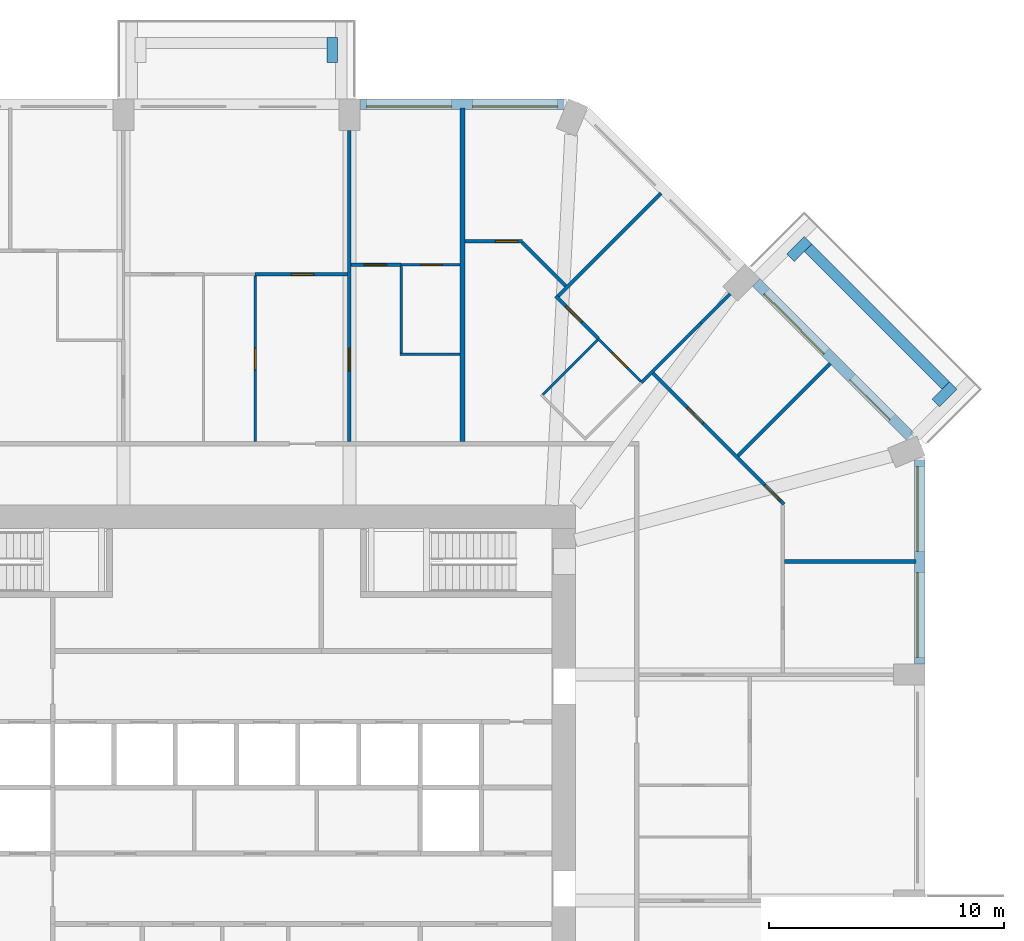
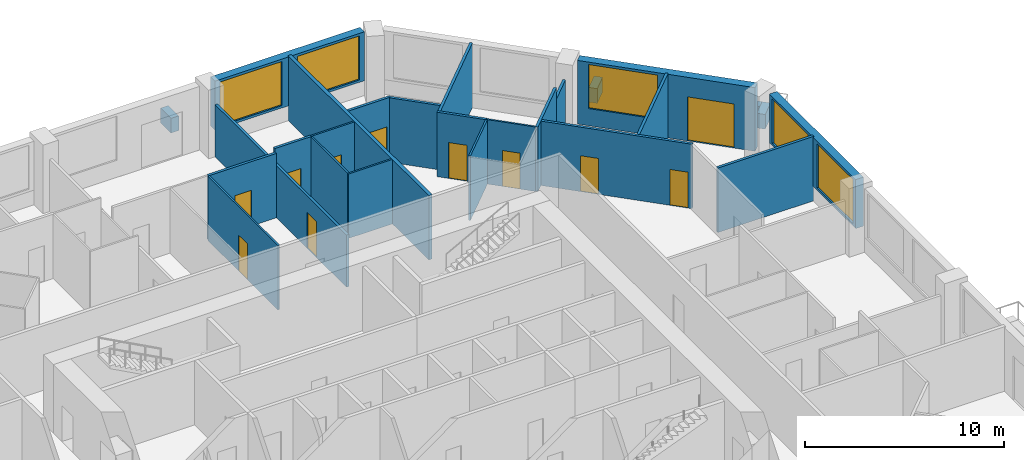
# One storey, part 10 of 13: 26 walls, 11 doors, 5 windows, 16 openings.
"""IFC4 building model written with IfcOpenShell, lengths in metres."""

from ifc_helpers import new_model, si_unit, direction, frame, frame_2d, origin, place, context, subcontext, project, spatial, rectangle, extrude, material, layer, layer_set, type_object, element, fill, save


model = new_model("IFC4")

# Units and contexts
model_context = context("Model", 3, precision=1e-05, world=origin(), true_north=direction((0.0, 1.0)))
body_context = subcontext(model_context, "Body", "Model", "MODEL_VIEW")
ifc_project = project(units=[si_unit("LENGTHUNIT", "METRE"), si_unit("AREAUNIT", "SQUARE_METRE"), si_unit("VOLUMEUNIT", "CUBIC_METRE"), si_unit("PLANEANGLEUNIT", "RADIAN"), si_unit("MASSUNIT", "GRAM", prefix="KILO")], contexts=[model_context])

# Site, building, storey
site_placement = place(None, origin())
site = spatial("IfcSite", under=ifc_project, at=site_placement, CompositionType="ELEMENT")
building_placement = place(site_placement, origin())
building = spatial("IfcBuilding", under=site, at=building_placement, Name="Msitu Wima Residences", CompositionType="ELEMENT")
storey_placement = place(building_placement, frame((0.0, 0.0, 54.89990234375)))
storey = spatial("IfcBuildingStorey", under=building, at=storey_placement, Name="L12", CompositionType="ELEMENT", Elevation=54.89990234375)

# Walls
ifc_material_1 = material(Name="Facing brick")
ifc_layer_1 = layer(ifc_material_1, 0.06494140625, Name="Facing brick")
ifc_material_2 = material(Name="Concrete C40/50", Category="concrete")
ifc_layer_2 = layer(ifc_material_2, 0.156005859375, Name="Concrete C40/50")
ifc_material_3 = material(Name="Waterproofing membrane")
ifc_layer_3 = layer(ifc_material_3, 0.00390625, Name="Waterproofing membrane")
ifc_material_4 = material(Name="Planting soil and planting")
ifc_layer_4 = layer(ifc_material_4, 0.22509765625, Name="Planting soil and planting")
ifc_layer_set_1 = layer_set([ifc_layer_1, ifc_layer_2, ifc_layer_3, ifc_layer_4], Name="Concrete C40/50")
wall_type_1 = type_object("IfcWallType", Name="Balcony planter PLANTER PL450", PredefinedType="USERDEFINED", material=ifc_layer_set_1)
wall_1_placement = place(storey_placement, frame((30.125732421875, 17.0693359375, 0.0), z_axis=(0.0, 0.0, 1.0), x_axis=(-0.707106781187, 0.707106781187, 0.0)))
element("IfcWall", 1, at=wall_1_placement, inside=storey, type_object=wall_type_1, Name="Balcony planter NE0 L12", ObjectType="PLANTER", PredefinedType="USERDEFINED", context=body_context, shape_type="SweptSolid", body=[
    extrude(rectangle(XDim=8.2822265625, YDim=0.449951171875, at=frame_2d((4.14111328125, 0.0))), origin(), (0.0, 0.0, 1.0), 0.900146484375),
])
for number, where, z_axis, x_axis, name in (
    (2, (29.70166015625, 16.326904296875, 0.0), (0.0, 0.0, 1.0), (0.707106781187, 0.707106781187, 0.0), "Balcony planter NE0 L12"),
    (3, (23.52685546875, 22.50146484375, 0.0), (0.0, 0.0, 1.0), (0.706990528533, 0.707223014731, 0.0), "Balcony planter NE0 L12"),
    (4, (4.074951171875, 30.800048828125, 0.0), (0.0, 0.0, 1.0), (0.0, 1.0, 0.0), "Balcony planter N1 L12"),
):
    element("IfcWall", number, at=place(storey_placement, frame(where, z_axis=z_axis, x_axis=x_axis)), inside=storey, type_object=wall_type_1, Name=name, ObjectType="PLANTER", PredefinedType="USERDEFINED", context=body_context, shape_type="SweptSolid", body=[
        extrude(rectangle(XDim=1.050048828125, YDim=0.449951171875, at=frame_2d((0.52490234375, 0.0))), origin(), (0.0, 0.0, 1.0), 0.900146484375),
    ])

# Wall, openings, windows
ifc_material_5 = material(Name="Brick (red buff mix)", Category="masonry")
ifc_layer_5 = layer(ifc_material_5, 0.449951171875)
ifc_layer_set_2 = layer_set([ifc_layer_5], Name="Brick (red buff mix)")
wall_type_2 = type_object("IfcWallType", Name="Brick infill wall BW450", PredefinedType="SOLIDWALL", material=ifc_layer_set_2)
wall_2_placement = place(storey_placement, frame((29.02490234375, 5.25, 0.900146484375), z_axis=(0.0, 0.0, 1.0), x_axis=(0.0, 1.0, 0.0)))
wall_2 = element("IfcWall", 5, at=wall_2_placement, inside=storey, type_object=wall_type_2, Name="Brick infill wall L12 E2", PredefinedType="SOLIDWALL", context=body_context, shape_type="SweptSolid", body=[
    extrude(rectangle(XDim=8.662841796875, YDim=0.449951171875, at=frame_2d((4.33154296875, 0.0))), origin(), (0.0, 0.0, 1.0), 3.0),
])
opening_1_placement = place(wall_2_placement, frame((0.281494140625, 0.0, 0.14990234375)))
opening_1 = element("IfcOpeningElement", 6, at=opening_1_placement, cuts=wall_2, Name="Opening W11-12.004", PredefinedType="OPENING", context=body_context, shape_type="SweptSolid", body=[
    extrude(rectangle(XDim=3.60009765625, YDim=2.699951171875, at=frame_2d((1.800048828125, 1.35009765625))), frame((0.0, 0.23486328125, 0.0), z_axis=(0.0, -1.0, 0.0), x_axis=(1.0, 0.0, 0.0)), (0.0, 0.0, 1.0), 0.469970703125),
])
opening_2_placement = place(wall_2_placement, frame((4.781494140625, 0.0, 0.14990234375)))
opening_2 = element("IfcOpeningElement", 7, at=opening_2_placement, cuts=wall_2, Name="Opening W11-12.005", PredefinedType="OPENING", context=body_context, shape_type="SweptSolid", body=[
    extrude(rectangle(XDim=3.60009765625, YDim=2.699951171875, at=frame_2d((1.800048828125, 1.35009765625))), frame((0.0, 0.23486328125, 0.0), z_axis=(0.0, -1.0, 0.0), x_axis=(1.0, 0.0, 0.0)), (0.0, 0.0, 1.0), 0.469970703125),
])
ifc_material_6 = material(Name="Anodised aluminium, bronze finish, clear low-emissivity double glazing", Category="aluminium")
window_type = type_object("IfcWindowType", Name="Window W3600x2700", PartitioningType="DOUBLE_PANEL_VERTICAL", PredefinedType="WINDOW", material=ifc_material_6)
window_1_placement = place(opening_1_placement, origin())
window_1 = element("IfcWindow", 8, at=window_1_placement, inside=storey, type_object=window_type, Name="Window L12 E2.1", OverallHeight=2.699951171875, OverallWidth=3.60009765625, PartitioningType="SINGLE_PANEL", PredefinedType="WINDOW", context=body_context, shape_type="SweptSolid", body=[
    extrude(rectangle(XDim=3.60009765625, YDim=2.699951171875, at=frame_2d((1.800048828125, 1.35009765625))), frame((0.0, 0.135009765625, 0.0), z_axis=(0.0, -1.0, 0.0), x_axis=(1.0, 0.0, 0.0)), (0.0, 0.0, 1.0), 0.06005859375),
])
fill(opening_1, window_1)
window_2_placement = place(opening_2_placement, origin())
window_2 = element("IfcWindow", 9, at=window_2_placement, inside=storey, type_object=window_type, Name="Window L12 E2.2", OverallHeight=2.699951171875, OverallWidth=3.60009765625, PartitioningType="SINGLE_PANEL", PredefinedType="WINDOW", context=body_context, shape_type="SweptSolid", body=[
    extrude(rectangle(XDim=3.60009765625, YDim=2.699951171875, at=frame_2d((1.800048828125, 1.35009765625))), frame((0.0, 0.135009765625, 0.0), z_axis=(0.0, -1.0, 0.0), x_axis=(1.0, 0.0, 0.0)), (0.0, 0.0, 1.0), 0.06005859375),
])
fill(opening_2, window_2)

# Wall, openings, door, window
wall_3_placement = place(storey_placement, frame((28.61474609375, 14.903564453125, 0.0), z_axis=(0.0, 0.0, 1.0), x_axis=(-0.707106781187, 0.707106781187, 0.0)))
wall_3 = element("IfcWall", 10, at=wall_3_placement, inside=storey, type_object=wall_type_2, Name="Brick infill wall L12 NE0", PredefinedType="SOLIDWALL", context=body_context, shape_type="SweptSolid", body=[
    extrude(rectangle(XDim=9.2451171875, YDim=0.449951171875, at=frame_2d((4.62255859375, 0.0))), origin(), (0.0, 0.0, 1.0), 3.900146484375),
])
opening_3_placement = place(wall_3_placement, frame((1.111328125, 0.0, 0.0)))
opening_3 = element("IfcOpeningElement", 11, at=opening_3_placement, cuts=wall_3, Name="Opening D11-12.003", PredefinedType="OPENING", context=body_context, shape_type="SweptSolid", body=[
    extrude(rectangle(XDim=2.39990234375, YDim=2.699951171875, at=frame_2d((1.199951171875, 1.35009765625))), frame((0.0, 0.23486328125, 0.0), z_axis=(0.0, -1.0, 0.0), x_axis=(1.0, 0.0, 0.0)), (0.0, 0.0, 1.0), 0.469970703125),
])
opening_4_placement = place(wall_3_placement, frame((5.072509765625, 0.0, 1.050048828125)))
opening_4 = element("IfcOpeningElement", 12, at=opening_4_placement, cuts=wall_3, Name="Opening W11-12.011", PredefinedType="OPENING", context=body_context, shape_type="SweptSolid", body=[
    extrude(rectangle(XDim=3.60009765625, YDim=2.699951171875, at=frame_2d((1.800048828125, 1.35009765625))), frame((0.0, 0.23486328125, 0.0), z_axis=(0.0, -1.0, 0.0), x_axis=(1.0, 0.0, 0.0)), (0.0, 0.0, 1.0), 0.469970703125),
])
door_type_1 = type_object("IfcDoorType", Name="Balcony door D2400x2700", OperationType="SLIDING_TO_LEFT", PredefinedType="DOOR", material=ifc_material_6)
door_1_placement = place(opening_3_placement, origin())
door_1 = element("IfcDoor", 13, at=door_1_placement, inside=storey, type_object=door_type_1, Name="Balcony door L12 NE0", OperationType="SINGLE_SWING_LEFT", OverallHeight=2.699951171875, OverallWidth=2.39990234375, PredefinedType="DOOR", context=body_context, shape_type="SweptSolid", body=[
    extrude(rectangle(XDim=2.39990234375, YDim=2.699951171875, at=frame_2d((1.199951171875, 1.35009765625))), frame((0.0, 0.1298828125, 0.0), z_axis=(0.0, -1.0, 0.0), x_axis=(1.0, 0.0, 0.0)), (0.0, 0.0, 1.0), 0.050048828125),
])
fill(opening_3, door_1)
window_3_placement = place(opening_4_placement, origin())
window_3 = element("IfcWindow", 14, at=window_3_placement, inside=storey, type_object=window_type, Name="Window L12 NE0.2", OverallHeight=2.699951171875, OverallWidth=3.60009765625, PartitioningType="SINGLE_PANEL", PredefinedType="WINDOW", context=body_context, shape_type="SweptSolid", body=[
    extrude(rectangle(XDim=3.60009765625, YDim=2.699951171875, at=frame_2d((1.800048828125, 1.35009765625))), frame((0.0, 0.135009765625, 0.0), z_axis=(0.0, -1.0, 0.0), x_axis=(1.0, 0.0, 0.0)), (0.0, 0.0, 1.0), 0.06005859375),
])
fill(opening_4, window_3)

# Wall, openings, windows
wall_4_placement = place(storey_placement, frame((13.912841796875, 29.02490234375, 0.900146484375), z_axis=(0.0, 0.0, 1.0), x_axis=(-1.0, 0.0, 0.0)))
wall_4 = element("IfcWall", 15, at=wall_4_placement, inside=storey, type_object=wall_type_2, Name="Brick infill wall L12 N0", PredefinedType="SOLIDWALL", context=body_context, shape_type="SweptSolid", body=[
    extrude(rectangle(XDim=8.662841796875, YDim=0.449951171875, at=frame_2d((4.33154296875, 0.0))), origin(), (0.0, 0.0, 1.0), 3.0),
])
opening_5_placement = place(wall_4_placement, frame((0.281494140625, 0.0, 0.14990234375)))
opening_5 = element("IfcOpeningElement", 16, at=opening_5_placement, cuts=wall_4, Name="Opening W11-12.006", PredefinedType="OPENING", context=body_context, shape_type="SweptSolid", body=[
    extrude(rectangle(XDim=3.60009765625, YDim=2.699951171875, at=frame_2d((1.800048828125, 1.35009765625))), frame((0.0, 0.23486328125, 0.0), z_axis=(0.0, -1.0, 0.0), x_axis=(1.0, 0.0, 0.0)), (0.0, 0.0, 1.0), 0.469970703125),
])
opening_6_placement = place(wall_4_placement, frame((4.781494140625, 0.0, 0.14990234375)))
opening_6 = element("IfcOpeningElement", 17, at=opening_6_placement, cuts=wall_4, Name="Opening W11-12.007", PredefinedType="OPENING", context=body_context, shape_type="SweptSolid", body=[
    extrude(rectangle(XDim=3.60009765625, YDim=2.699951171875, at=frame_2d((1.800048828125, 1.35009765625))), frame((0.0, 0.23486328125, 0.0), z_axis=(0.0, -1.0, 0.0), x_axis=(1.0, 0.0, 0.0)), (0.0, 0.0, 1.0), 0.469970703125),
])
window_4_placement = place(opening_5_placement, origin())
window_4 = element("IfcWindow", 18, at=window_4_placement, inside=storey, type_object=window_type, Name="Window L12 N0.1", OverallHeight=2.699951171875, OverallWidth=3.60009765625, PartitioningType="SINGLE_PANEL", PredefinedType="WINDOW", context=body_context, shape_type="SweptSolid", body=[
    extrude(rectangle(XDim=3.60009765625, YDim=2.699951171875, at=frame_2d((1.800048828125, 1.35009765625))), frame((0.0, 0.135009765625, 0.0), z_axis=(0.0, -1.0, 0.0), x_axis=(1.0, 0.0, 0.0)), (0.0, 0.0, 1.0), 0.06005859375),
])
fill(opening_5, window_4)
window_5_placement = place(opening_6_placement, origin())
window_5 = element("IfcWindow", 19, at=window_5_placement, inside=storey, type_object=window_type, Name="Window L12 N0.2", OverallHeight=2.699951171875, OverallWidth=3.60009765625, PartitioningType="SINGLE_PANEL", PredefinedType="WINDOW", context=body_context, shape_type="SweptSolid", body=[
    extrude(rectangle(XDim=3.60009765625, YDim=2.699951171875, at=frame_2d((1.800048828125, 1.35009765625))), frame((0.0, 0.135009765625, 0.0), z_axis=(0.0, -1.0, 0.0), x_axis=(1.0, 0.0, 0.0)), (0.0, 0.0, 1.0), 0.06005859375),
])
fill(opening_6, window_5)

# Wall, opening, door
ifc_material_7 = material(Name="Plaster")
ifc_layer_6 = layer(ifc_material_7, 0.011962890625, Name="Plaster")
ifc_material_8 = material(Name="Concrete blockwork", Category="masonry")
ifc_layer_7 = layer(ifc_material_8, 0.1259765625, Name="Concrete blockwork")
ifc_layer_8 = layer(ifc_material_7, 0.011962890625, Name="Plaster")
ifc_layer_set_3 = layer_set([ifc_layer_6, ifc_layer_7, ifc_layer_8], Name="Concrete blockwork")
wall_type_3 = type_object("IfcWallType", Name="Partition PW150", PredefinedType="PARTITIONING", material=ifc_layer_set_3)
wall_5_placement = place(storey_placement, frame((0.780029296875, 21.800048828125, 0.0), z_axis=(0.0, 0.0, 1.0), x_axis=(1.0, 0.0, 0.0)))
wall_5 = element("IfcWall", 20, at=wall_5_placement, inside=storey, type_object=wall_type_3, Name="Partition", PredefinedType="PARTITIONING", context=body_context, shape_type="SweptSolid", body=[
    extrude(rectangle(XDim=3.945068359375, YDim=0.14990234375, at=frame_2d((1.97265625, 0.0))), origin(), (0.0, 0.0, 1.0), 3.9501953125),
])
opening_7_placement = place(wall_5_placement, frame((1.550048828125, 0.0, 0.0)))
opening_7 = element("IfcOpeningElement", 21, at=opening_7_placement, cuts=wall_5, Name="Opening D11-12.043", PredefinedType="OPENING", context=body_context, shape_type="SweptSolid", body=[
    extrude(rectangle(XDim=0.949951171875, YDim=2.199951171875, at=frame_2d((0.47509765625, 1.10009765625))), frame((0.0, 0.0849609375, 0.0), z_axis=(0.0, -1.0, 0.0), x_axis=(1.0, 0.0, 0.0)), (0.0, 0.0, 1.0), 0.169921875),
])
ifc_material_9 = material(Name="Timber flush door", Category="wood")
door_type_2 = type_object("IfcDoorType", Name="Room door D12 950x2200", OperationType="SINGLE_SWING_LEFT", PredefinedType="DOOR", material=ifc_material_9)
door_2_placement = place(opening_7_placement, origin())
door_2 = element("IfcDoor", 22, at=door_2_placement, inside=storey, type_object=door_type_2, Name="Room door", OperationType="SINGLE_SWING_RIGHT", OverallHeight=2.199951171875, OverallWidth=0.949951171875, PredefinedType="DOOR", context=body_context, shape_type="SweptSolid", body=[
    extrude(rectangle(XDim=0.949951171875, YDim=2.199951171875, at=frame_2d((0.47509765625, 1.10009765625))), frame((0.0, 0.02490234375, 0.0), z_axis=(0.0, -1.0, 0.0), x_axis=(1.0, 0.0, 0.0)), (0.0, 0.0, 1.0), 0.050048828125),
])
fill(opening_7, door_2)

wall_6_placement = place(storey_placement, frame((4.800048828125, 14.699951171875, 0.0), z_axis=(0.0, 0.0, 1.0), x_axis=(0.0, 1.0, 0.0)))
wall_6 = element("IfcWall", 23, at=wall_6_placement, inside=storey, type_object=wall_type_3, Name="Partition", PredefinedType="PARTITIONING", context=body_context, shape_type="SweptSolid", body=[
    extrude(rectangle(XDim=13.199951171875, YDim=0.14990234375, at=frame_2d((6.60009765625, 0.0))), origin(), (0.0, 0.0, 1.0), 3.2001953125),
])
opening_8_placement = place(wall_6_placement, frame((3.0, 0.0, 0.0)))
opening_8 = element("IfcOpeningElement", 24, at=opening_8_placement, cuts=wall_6, Name="Opening D11-12.042", PredefinedType="OPENING", context=body_context, shape_type="SweptSolid", body=[
    extrude(rectangle(XDim=0.949951171875, YDim=2.199951171875, at=frame_2d((0.47509765625, 1.10009765625))), frame((0.0, 0.0849609375, 0.0), z_axis=(0.0, -1.0, 0.0), x_axis=(1.0, 0.0, 0.0)), (0.0, 0.0, 1.0), 0.169921875),
])
door_3_placement = place(opening_8_placement, origin())
door_3 = element("IfcDoor", 25, at=door_3_placement, inside=storey, type_object=door_type_2, Name="Room door", OperationType="SINGLE_SWING_LEFT", OverallHeight=2.199951171875, OverallWidth=0.949951171875, PredefinedType="DOOR", context=body_context, shape_type="SweptSolid", body=[
    extrude(rectangle(XDim=0.949951171875, YDim=2.199951171875, at=frame_2d((0.47509765625, 1.10009765625))), frame((0.0, 0.02490234375, 0.0), z_axis=(0.0, -1.0, 0.0), x_axis=(1.0, 0.0, 0.0)), (0.0, 0.0, 1.0), 0.050048828125),
])
fill(opening_8, door_3)

wall_7_placement = place(storey_placement, frame((4.875, 22.199951171875, 0.0), z_axis=(0.0, 0.0, 1.0), x_axis=(1.0, 0.0, 0.0)))
wall_7 = element("IfcWall", 26, at=wall_7_placement, inside=storey, type_object=wall_type_3, Name="Partition", PredefinedType="PARTITIONING", context=body_context, shape_type="SweptSolid", body=[
    extrude(rectangle(XDim=2.10498046875, YDim=0.14990234375, at=frame_2d((1.052490234375, 0.0))), origin(), (0.0, 0.0, 1.0), 3.9501953125),
])
opening_9_placement = place(wall_7_placement, frame((0.550048828125, 0.0, 0.0)))
opening_9 = element("IfcOpeningElement", 27, at=opening_9_placement, cuts=wall_7, Name="Opening D11-12.045", PredefinedType="OPENING", context=body_context, shape_type="SweptSolid", body=[
    extrude(rectangle(XDim=0.949951171875, YDim=2.199951171875, at=frame_2d((0.47509765625, 1.10009765625))), frame((0.0, 0.0849609375, 0.0), z_axis=(0.0, -1.0, 0.0), x_axis=(1.0, 0.0, 0.0)), (0.0, 0.0, 1.0), 0.169921875),
])
door_4_placement = place(opening_9_placement, origin())
door_4 = element("IfcDoor", 28, at=door_4_placement, inside=storey, type_object=door_type_2, Name="Room door", OperationType="SINGLE_SWING_LEFT", OverallHeight=2.199951171875, OverallWidth=0.949951171875, PredefinedType="DOOR", context=body_context, shape_type="SweptSolid", body=[
    extrude(rectangle(XDim=0.949951171875, YDim=2.199951171875, at=frame_2d((0.47509765625, 1.10009765625))), frame((0.0, 0.02490234375, 0.0), z_axis=(0.0, -1.0, 0.0), x_axis=(1.0, 0.0, 0.0)), (0.0, 0.0, 1.0), 0.050048828125),
])
fill(opening_9, door_4)

wall_8_placement = place(storey_placement, frame((9.699951171875, 23.199951171875, 0.0), z_axis=(0.0, 0.0, 1.0), x_axis=(1.0, 0.0, 0.0)))
wall_8 = element("IfcWall", 29, at=wall_8_placement, inside=storey, type_object=wall_type_3, Name="Partition", PredefinedType="PARTITIONING", context=body_context, shape_type="SweptSolid", body=[
    extrude(rectangle(XDim=2.45556640625, YDim=0.14990234375, at=frame_2d((1.227783203125, 0.0))), origin(), (0.0, 0.0, 1.0), 3.9501953125),
])
opening_10_placement = place(wall_8_placement, frame((1.300048828125, 0.0, 0.0)))
opening_10 = element("IfcOpeningElement", 30, at=opening_10_placement, cuts=wall_8, Name="Opening D11-12.090", PredefinedType="OPENING", context=body_context, shape_type="SweptSolid", body=[
    extrude(rectangle(XDim=0.949951171875, YDim=2.199951171875, at=frame_2d((0.47509765625, 1.10009765625))), frame((0.0, 0.0849609375, 0.0), z_axis=(0.0, -1.0, 0.0), x_axis=(1.0, 0.0, 0.0)), (0.0, 0.0, 1.0), 0.169921875),
])
door_5_placement = place(opening_10_placement, origin())
door_5 = element("IfcDoor", 31, at=door_5_placement, inside=storey, type_object=door_type_2, Name="Room door", OperationType="SINGLE_SWING_LEFT", OverallHeight=2.199951171875, OverallWidth=0.949951171875, PredefinedType="DOOR", context=body_context, shape_type="SweptSolid", body=[
    extrude(rectangle(XDim=0.949951171875, YDim=2.199951171875, at=frame_2d((0.47509765625, 1.10009765625))), frame((0.0, 0.02490234375, 0.0), z_axis=(0.0, -1.0, 0.0), x_axis=(1.0, 0.0, 0.0)), (0.0, 0.0, 1.0), 0.050048828125),
])
fill(opening_10, door_5)

# Wall
wall_9_placement = place(storey_placement, frame((12.133544921875, 23.14697265625, 0.0), z_axis=(0.0, 0.0, 1.0), x_axis=(0.707060213517, -0.70715334579, 0.0)))
element("IfcWall", 32, at=wall_9_placement, inside=storey, type_object=wall_type_3, Name="Partition", PredefinedType="PARTITIONING", context=body_context, shape_type="SweptSolid", body=[
    extrude(rectangle(XDim=2.621337890625, YDim=0.14990234375, at=frame_2d((1.310546875, 0.0))), origin(), (0.0, 0.0, 1.0), 3.9501953125),
])

# Wall, opening, door
wall_10_placement = place(storey_placement, frame((13.56298828125, 20.868896484375, 0.0), z_axis=(0.0, 0.0, 1.0), x_axis=(0.707106781187, -0.707106781187, 0.0)))
wall_10 = element("IfcWall", 33, at=wall_10_placement, inside=storey, type_object=wall_type_3, Name="Partition", PredefinedType="PARTITIONING", context=body_context, shape_type="SweptSolid", body=[
    extrude(rectangle(XDim=2.5458984375, YDim=0.14990234375, at=frame_2d((1.27294921875, 0.0))), origin(), (0.0, 0.0, 1.0), 3.9501953125),
])
opening_11_placement = place(wall_10_placement, frame((0.60009765625, 0.0, 0.0)))
opening_11 = element("IfcOpeningElement", 34, at=opening_11_placement, cuts=wall_10, Name="Opening D11-12.087", PredefinedType="OPENING", context=body_context, shape_type="SweptSolid", body=[
    extrude(rectangle(XDim=0.949951171875, YDim=2.199951171875, at=frame_2d((0.47509765625, 1.10009765625))), frame((0.0, 0.0849609375, 0.0), z_axis=(0.0, -1.0, 0.0), x_axis=(1.0, 0.0, 0.0)), (0.0, 0.0, 1.0), 0.169921875),
])
door_6_placement = place(opening_11_placement, origin())
door_6 = element("IfcDoor", 35, at=door_6_placement, inside=storey, type_object=door_type_2, Name="Room door", OperationType="SINGLE_SWING_LEFT", OverallHeight=2.199951171875, OverallWidth=0.949951171875, PredefinedType="DOOR", context=body_context, shape_type="SweptSolid", body=[
    extrude(rectangle(XDim=0.949951171875, YDim=2.199951171875, at=frame_2d((0.47509765625, 1.10009765625))), frame((0.0, 0.02490234375, 0.0), z_axis=(0.0, -1.0, 0.0), x_axis=(1.0, 0.0, 0.0)), (0.0, 0.0, 1.0), 0.050048828125),
])
fill(opening_11, door_6)

# Walls
wall_11_placement = place(storey_placement, frame((13.6689453125, 20.868896484375, 0.0), z_axis=(0.0, 0.0, 1.0), x_axis=(0.707106781187, 0.707106781187, 0.0)))
element("IfcWall", 36, at=wall_11_placement, inside=storey, type_object=wall_type_3, Name="Partition", PredefinedType="PARTITIONING", context=body_context, shape_type="SweptSolid", body=[
    extrude(rectangle(XDim=6.179931640625, YDim=0.14990234375, at=frame_2d((3.08984375, 0.0))), origin(), (0.0, 0.0, 1.0), 3.9501953125),
])
wall_12_placement = place(storey_placement, frame((17.201904296875, 17.201904296875, 0.0), z_axis=(0.0, 0.0, 1.0), x_axis=(0.707106781187, 0.707106781187, 0.0)))
element("IfcWall", 37, at=wall_12_placement, inside=storey, type_object=wall_type_3, Name="Partition", PredefinedType="PARTITIONING", context=body_context, shape_type="SweptSolid", body=[
    extrude(rectangle(XDim=3.571533203125, YDim=0.14990234375, at=frame_2d((1.78564453125, 0.0))), origin(), (0.0, 0.0, 1.0), 3.9501953125),
])
wall_13_placement = place(storey_placement, frame((19.727294921875, 19.727294921875, 0.0), z_axis=(0.0, 0.0, 1.0), x_axis=(0.707106781187, 0.707106781187, 0.0)))
element("IfcWall", 38, at=wall_13_placement, inside=storey, type_object=wall_type_3, Name="Partition", PredefinedType="PARTITIONING", context=body_context, shape_type="SweptSolid", body=[
    extrude(rectangle(XDim=1.74853515625, YDim=0.14990234375, at=frame_2d((0.874267578125, 0.0))), origin(), (0.0, 0.0, 1.0), 3.25),
])

# Wall, openings, doors
wall_14_placement = place(storey_placement, frame((17.693115234375, 17.587158203125, 0.0), z_axis=(0.0, 0.0, 1.0), x_axis=(0.707106781187, -0.707106781187, 0.0)))
wall_14 = element("IfcWall", 39, at=wall_14_placement, inside=storey, type_object=wall_type_3, Name="Partition", PredefinedType="PARTITIONING", context=body_context, shape_type="SweptSolid", body=[
    extrude(rectangle(XDim=7.86279296875, YDim=0.14990234375, at=frame_2d((3.931396484375, 0.0))), origin(), (0.0, 0.0, 1.0), 3.9501953125),
])
opening_12_placement = place(wall_14_placement, frame((2.050048828125, 0.0, 0.0)))
opening_12 = element("IfcOpeningElement", 40, at=opening_12_placement, cuts=wall_14, Name="Opening D11-12.081", PredefinedType="OPENING", context=body_context, shape_type="SweptSolid", body=[
    extrude(rectangle(XDim=0.949951171875, YDim=2.199951171875, at=frame_2d((0.47509765625, 1.10009765625))), frame((0.0, 0.0849609375, 0.0), z_axis=(0.0, -1.0, 0.0), x_axis=(1.0, 0.0, 0.0)), (0.0, 0.0, 1.0), 0.169921875),
])
opening_13_placement = place(wall_14_placement, frame((6.699951171875, 0.0, 0.0)))
opening_13 = element("IfcOpeningElement", 41, at=opening_13_placement, cuts=wall_14, Name="Opening D11-12.089", PredefinedType="OPENING", context=body_context, shape_type="SweptSolid", body=[
    extrude(rectangle(XDim=0.949951171875, YDim=2.199951171875, at=frame_2d((0.47509765625, 1.10009765625))), frame((0.0, 0.0849609375, 0.0), z_axis=(0.0, -1.0, 0.0), x_axis=(1.0, 0.0, 0.0)), (0.0, 0.0, 1.0), 0.169921875),
])
door_7_placement = place(opening_12_placement, origin())
door_7 = element("IfcDoor", 42, at=door_7_placement, inside=storey, type_object=door_type_2, Name="Room door", OperationType="SINGLE_SWING_RIGHT", OverallHeight=2.199951171875, OverallWidth=0.949951171875, PredefinedType="DOOR", context=body_context, shape_type="SweptSolid", body=[
    extrude(rectangle(XDim=0.949951171875, YDim=2.199951171875, at=frame_2d((0.47509765625, 1.10009765625))), frame((0.0, 0.02490234375, 0.0), z_axis=(0.0, -1.0, 0.0), x_axis=(1.0, 0.0, 0.0)), (0.0, 0.0, 1.0), 0.050048828125),
])
fill(opening_12, door_7)
door_8_placement = place(opening_13_placement, origin())
door_8 = element("IfcDoor", 43, at=door_8_placement, inside=storey, type_object=door_type_2, Name="Room door", OperationType="SINGLE_SWING_LEFT", OverallHeight=2.199951171875, OverallWidth=0.949951171875, PredefinedType="DOOR", context=body_context, shape_type="SweptSolid", body=[
    extrude(rectangle(XDim=0.949951171875, YDim=2.199951171875, at=frame_2d((0.47509765625, 1.10009765625))), frame((0.0, 0.02490234375, 0.0), z_axis=(0.0, -1.0, 0.0), x_axis=(1.0, 0.0, 0.0)), (0.0, 0.0, 1.0), 0.050048828125),
])
fill(opening_13, door_8)

# Walls
wall_15_placement = place(storey_placement, frame((21.293212890625, 14.09326171875, 0.0), z_axis=(0.0, 0.0, 1.0), x_axis=(0.707128775519, 0.70708478617, 0.0)))
element("IfcWall", 44, at=wall_15_placement, inside=storey, type_object=wall_type_3, Name="Partition", PredefinedType="PARTITIONING", context=body_context, shape_type="SweptSolid", body=[
    extrude(rectangle(XDim=5.550048828125, YDim=0.14990234375, at=frame_2d((2.77490234375, 0.0))), origin(), (0.0, 0.0, 1.0), 3.9501953125),
])
wall_16_placement = place(storey_placement, frame((23.27490234375, 9.60009765625, 0.0), z_axis=(0.0, 0.0, 1.0), x_axis=(1.0, 0.0, 0.0)))
element("IfcWall", 45, at=wall_16_placement, inside=storey, type_object=wall_type_3, Name="Partition", PredefinedType="PARTITIONING", context=body_context, shape_type="SweptSolid", body=[
    extrude(rectangle(XDim=5.580078125, YDim=0.14990234375, at=frame_2d((2.7900390625, 0.0))), origin(), (0.0, 0.0, 1.0), 3.9501953125),
])
ifc_layer_9 = layer(ifc_material_7, 0.011962890625, Name="Plaster")
ifc_material_10 = material(Name="Dense concrete blockwork", Category="masonry")
ifc_layer_10 = layer(ifc_material_10, 0.176025390625, Name="Dense concrete blockwork")
ifc_layer_11 = layer(ifc_material_7, 0.011962890625, Name="Plaster")
ifc_layer_set_4 = layer_set([ifc_layer_9, ifc_layer_10, ifc_layer_11], Name="Dense concrete blockwork")
wall_type_4 = type_object("IfcWallType", Name="Party wall PW200", PredefinedType="PARTITIONING", material=ifc_layer_set_4)
wall_17_placement = place(storey_placement, frame((9.60009765625, 14.699951171875, 0.0), z_axis=(0.0, 0.0, 1.0), x_axis=(0.0, 1.0, 0.0)))
element("IfcWall", 46, at=wall_17_placement, inside=storey, type_object=wall_type_4, Name="Party wall", PredefinedType="PARTITIONING", context=body_context, shape_type="SweptSolid", body=[
    extrude(rectangle(XDim=14.155029296875, YDim=0.199951171875, at=frame_2d((7.07763671875, 0.0))), origin(), (0.0, 0.0, 1.0), 3.9501953125),
])

# Wall, opening, door
ifc_material_11 = material(Name="Ceramic tiles")
ifc_layer_12 = layer(ifc_material_11, 0.008056640625, Name="Ceramic tiles")
ifc_material_12 = material(Name="Moisture-resistant board")
ifc_layer_13 = layer(ifc_material_12, 0.012451171875, Name="Moisture-resistant board")
ifc_material_13 = material(Name="Light-gauge stud framing with mineral wool")
ifc_layer_14 = layer(ifc_material_13, 0.06689453125, Name="Light-gauge stud framing with mineral wool")
ifc_layer_15 = layer(ifc_material_12, 0.012451171875, Name="Moisture-resistant board")
ifc_layer_set_5 = layer_set([ifc_layer_12, ifc_layer_13, ifc_layer_14, ifc_layer_15], Name="Light-gauge stud framing with mineral wool")
wall_type_5 = type_object("IfcWallType", Name="Wet wall PW100", PredefinedType="PARTITIONING", material=ifc_layer_set_5)
wall_18_placement = place(storey_placement, frame((0.800048828125, 14.699951171875, 0.0), z_axis=(0.0, 0.0, 1.0), x_axis=(0.0, 1.0, 0.0)))
wall_18 = element("IfcWall", 47, at=wall_18_placement, inside=storey, type_object=wall_type_5, Name="Wet wall", PredefinedType="PARTITIONING", context=body_context, shape_type="SweptSolid", body=[
    extrude(rectangle(XDim=7.025146484375, YDim=0.10009765625, at=frame_2d((3.5126953125, 0.0))), origin(), (0.0, 0.0, 1.0), 3.9501953125),
])
opening_14_placement = place(wall_18_placement, frame((3.050048828125, 0.0, 0.0)))
opening_14 = element("IfcOpeningElement", 48, at=opening_14_placement, cuts=wall_18, Name="Opening D11-12.044", PredefinedType="OPENING", context=body_context, shape_type="SweptSolid", body=[
    extrude(rectangle(XDim=0.89990234375, YDim=2.199951171875, at=frame_2d((0.449951171875, 1.10009765625))), frame((0.0, 0.06005859375, 0.0), z_axis=(0.0, -1.0, 0.0), x_axis=(1.0, 0.0, 0.0)), (0.0, 0.0, 1.0), 0.1201171875),
])
ifc_material_14 = material(Name="Timber flush door, moisture resistant", Category="wood")
door_type_3 = type_object("IfcDoorType", Name="Bathroom door D03 900x2200", OperationType="SINGLE_SWING_LEFT", PredefinedType="DOOR", material=ifc_material_14)
door_9_placement = place(opening_14_placement, origin())
door_9 = element("IfcDoor", 49, at=door_9_placement, inside=storey, type_object=door_type_3, Name="Bathroom door", OperationType="SINGLE_SWING_LEFT", OverallHeight=2.199951171875, OverallWidth=0.89990234375, PredefinedType="DOOR", context=body_context, shape_type="SweptSolid", body=[
    extrude(rectangle(XDim=0.89990234375, YDim=2.199951171875, at=frame_2d((0.449951171875, 1.10009765625))), frame((0.0, 0.02490234375, 0.0), z_axis=(0.0, -1.0, 0.0), x_axis=(1.0, 0.0, 0.0)), (0.0, 0.0, 1.0), 0.050048828125),
])
fill(opening_14, door_9)

wall_19_placement = place(storey_placement, frame((6.97998046875, 22.199951171875, 0.0), z_axis=(0.0, 0.0, 1.0), x_axis=(1.0, 0.0, 0.0)))
wall_19 = element("IfcWall", 50, at=wall_19_placement, inside=storey, type_object=wall_type_5, Name="Wet wall", PredefinedType="PARTITIONING", context=body_context, shape_type="SweptSolid", body=[
    extrude(rectangle(XDim=2.52001953125, YDim=0.10009765625, at=frame_2d((1.260009765625, 0.0))), origin(), (0.0, 0.0, 1.0), 3.9501953125),
])
opening_15_placement = place(wall_19_placement, frame((0.85009765625, 0.0, 0.0)))
opening_15 = element("IfcOpeningElement", 51, at=opening_15_placement, cuts=wall_19, Name="Opening D11-12.046", PredefinedType="OPENING", context=body_context, shape_type="SweptSolid", body=[
    extrude(rectangle(XDim=0.89990234375, YDim=2.199951171875, at=frame_2d((0.449951171875, 1.10009765625))), frame((0.0, 0.06005859375, 0.0), z_axis=(0.0, -1.0, 0.0), x_axis=(1.0, 0.0, 0.0)), (0.0, 0.0, 1.0), 0.1201171875),
])
door_10_placement = place(opening_15_placement, origin())
door_10 = element("IfcDoor", 52, at=door_10_placement, inside=storey, type_object=door_type_3, Name="Bathroom door", OperationType="SINGLE_SWING_LEFT", OverallHeight=2.199951171875, OverallWidth=0.89990234375, PredefinedType="DOOR", context=body_context, shape_type="SweptSolid", body=[
    extrude(rectangle(XDim=0.89990234375, YDim=2.199951171875, at=frame_2d((0.449951171875, 1.10009765625))), frame((0.0, 0.02490234375, 0.0), z_axis=(0.0, -1.0, 0.0), x_axis=(1.0, 0.0, 0.0)), (0.0, 0.0, 1.0), 0.050048828125),
])
fill(opening_15, door_10)

# Walls
wall_20_placement = place(storey_placement, frame((7.0, 18.449951171875, 0.0), z_axis=(0.0, 0.0, 1.0), x_axis=(0.0, 1.0, 0.0)))
element("IfcWall", 53, at=wall_20_placement, inside=storey, type_object=wall_type_5, Name="Wet wall", PredefinedType="PARTITIONING", context=body_context, shape_type="SweptSolid", body=[
    extrude(rectangle(XDim=3.675048828125, YDim=0.10009765625, at=frame_2d((1.83740234375, 0.0))), origin(), (0.0, 0.0, 1.0), 3.9501953125),
])
wall_21_placement = place(storey_placement, frame((6.949951171875, 18.39990234375, 0.0), z_axis=(0.0, 0.0, 1.0), x_axis=(1.0, 0.0, 0.0)))
element("IfcWall", 54, at=wall_21_placement, inside=storey, type_object=wall_type_5, Name="Wet wall", PredefinedType="PARTITIONING", context=body_context, shape_type="SweptSolid", body=[
    extrude(rectangle(XDim=2.550048828125, YDim=0.10009765625, at=frame_2d((1.27490234375, 0.0))), origin(), (0.0, 0.0, 1.0), 3.9501953125),
])
wall_22_placement = place(storey_placement, frame((13.008544921875, 16.685546875, 0.0), z_axis=(0.0, 0.0, 1.0), x_axis=(0.707106781187, 0.707106781187, 0.0)))
element("IfcWall", 55, at=wall_22_placement, inside=storey, type_object=wall_type_5, Name="Wet wall", PredefinedType="PARTITIONING", context=body_context, shape_type="SweptSolid", body=[
    extrude(rectangle(XDim=3.300048828125, YDim=0.10009765625, at=frame_2d((1.64990234375, 0.0))), origin(), (0.0, 0.0, 1.0), 3.9501953125),
])

# Wall, opening, door
wall_23_placement = place(storey_placement, frame((15.36328125, 19.068603515625, 0.0), z_axis=(0.0, 0.0, 1.0), x_axis=(0.707106781187, -0.707106781187, 0.0)))
wall_23 = element("IfcWall", 56, at=wall_23_placement, inside=storey, type_object=wall_type_5, Name="Wet wall", PredefinedType="PARTITIONING", context=body_context, shape_type="SweptSolid", body=[
    extrude(rectangle(XDim=2.570068359375, YDim=0.10009765625, at=frame_2d((1.28515625, 0.0))), origin(), (0.0, 0.0, 1.0), 3.9501953125),
])
opening_16_placement = place(wall_23_placement, frame((0.85009765625, 0.0, 0.0)))
opening_16 = element("IfcOpeningElement", 57, at=opening_16_placement, cuts=wall_23, Name="Opening D11-12.088", PredefinedType="OPENING", context=body_context, shape_type="SweptSolid", body=[
    extrude(rectangle(XDim=0.89990234375, YDim=2.199951171875, at=frame_2d((0.449951171875, 1.10009765625))), frame((0.0, 0.06005859375, 0.0), z_axis=(0.0, -1.0, 0.0), x_axis=(1.0, 0.0, 0.0)), (0.0, 0.0, 1.0), 0.1201171875),
])
door_11_placement = place(opening_16_placement, origin())
door_11 = element("IfcDoor", 58, at=door_11_placement, inside=storey, type_object=door_type_3, Name="Bathroom door", OperationType="SINGLE_SWING_RIGHT", OverallHeight=2.199951171875, OverallWidth=0.89990234375, PredefinedType="DOOR", context=body_context, shape_type="SweptSolid", body=[
    extrude(rectangle(XDim=0.89990234375, YDim=2.199951171875, at=frame_2d((0.449951171875, 1.10009765625))), frame((0.0, 0.02490234375, 0.0), z_axis=(0.0, -1.0, 0.0), x_axis=(1.0, 0.0, 0.0)), (0.0, 0.0, 1.0), 0.050048828125),
])
fill(opening_16, door_11)

save(model, "model.ifc")
